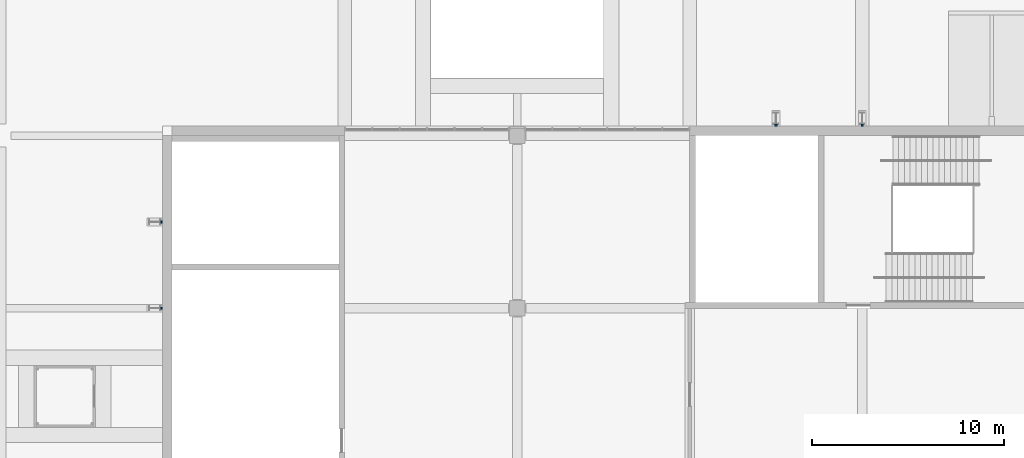
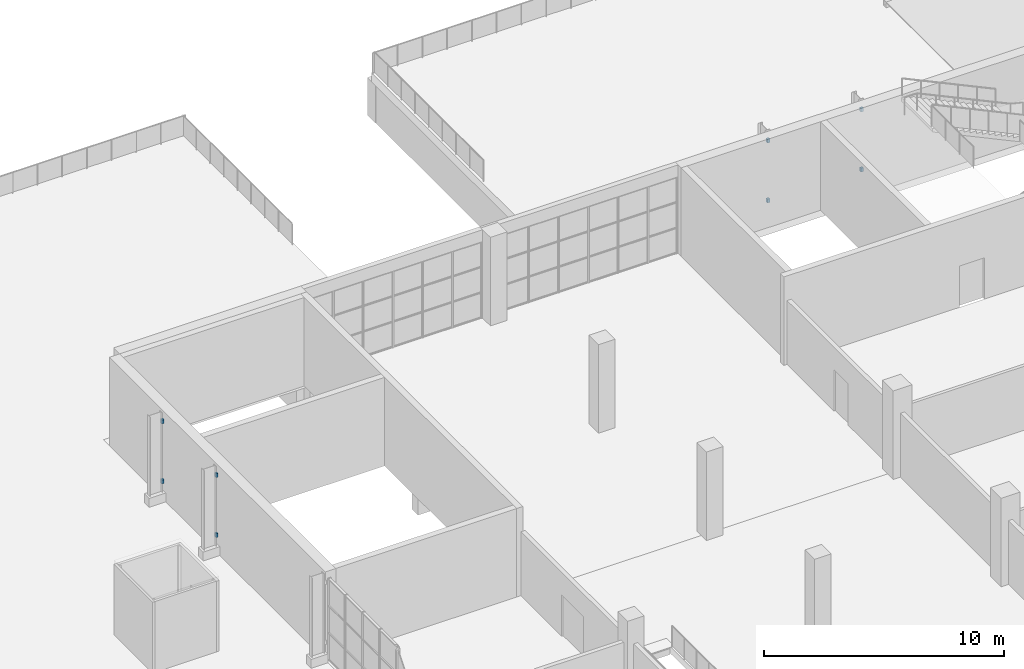
# One storey, part 131 of 168: 8 discrete accessories.
"""IFC4 building model written with IfcOpenShell, lengths in metres."""

import ifcopenshell
import ifcopenshell.guid

model = None  # the IFC model being written
_history = None  # IfcOwnerHistory: only IFC2X3 demands one
_inside = {}  # id of a spatial element -> (the spatial element, [elements in it])
_under = {}  # id of a project, library or spatial element -> (it, [spatial elements below it])
_declared = {}  # id of a project -> (the project, [libraries it declares])
_typed = {}  # id of a type object -> (the type object, [elements of that type])
_made_of = {}  # id of a material, layer set ... -> (it, [elements and type objects made of it])


def new_model(schema):
    """Start an empty IFC model of exactly this schema.

    Asked for "IFC4X3", IfcOpenShell would pick the latest addendum, in which some entities
    have other attributes; the version numbers below select the first issue.
    IFC2X3 requires an IfcOwnerHistory on every rooted entity: one is made here for all.
    """
    global model, _history
    if schema == "IFC4X3":
        model = ifcopenshell.file(schema_version=(4, 3, 0, 0))
    else:
        model = ifcopenshell.file(schema=schema)
    _inside.clear()
    _under.clear()
    _declared.clear()
    _typed.clear()
    _made_of.clear()
    _history = None
    if model.schema == "IFC2X3":
        org = make("IfcOrganization", Name="unknown")
        user = make(
            "IfcPersonAndOrganization",
            ThePerson=make("IfcPerson", FamilyName="unknown"),
            TheOrganization=org,
        )
        app = make(
            "IfcApplication",
            ApplicationDeveloper=org,
            Version="unknown",
            ApplicationFullName="unknown",
            ApplicationIdentifier="unknown",
        )
        _history = make(
            "IfcOwnerHistory",
            OwningUser=user,
            OwningApplication=app,
            ChangeAction="ADDED",
            CreationDate=0,
        )
    return model


def make(cls, **values):
    """One entity of the class cls with the attributes given. An attribute that is None is left unset."""
    return model.create_entity(
        cls, **{name: value for name, value in values.items() if value is not None}
    )


def rooted(cls, **values):
    """An entity with a GlobalId (a new one), such as an element, a storey or a relation."""
    return make(cls, GlobalId=ifcopenshell.guid.new(), OwnerHistory=_history, **values)


def si_unit(unit_type, name, prefix=None):
    """IfcSIUnit, for example si_unit("LENGTHUNIT", "METRE", prefix="MILLI")."""
    return make("IfcSIUnit", UnitType=unit_type, Prefix=prefix, Name=name)


def assignment(units):
    """IfcUnitAssignment: the units of a project."""
    return None if units is None else make("IfcUnitAssignment", Units=units)


def point(xyz):
    """IfcCartesianPoint."""
    return None if xyz is None else make("IfcCartesianPoint", Coordinates=xyz)


def direction(xyz):
    """IfcDirection."""
    return None if xyz is None else make("IfcDirection", DirectionRatios=xyz)


def frame(location, z_axis=None, x_axis=None):
    """IfcAxis2Placement3D, a coordinate frame: its origin and axes. An axis left out is left unset."""
    return make(
        "IfcAxis2Placement3D",
        Location=point(location),
        Axis=direction(z_axis),
        RefDirection=direction(x_axis),
    )


def frame_2d(location, x_axis=None):
    """IfcAxis2Placement2D, a coordinate frame in the plane: its origin and x axis."""
    return make(
        "IfcAxis2Placement2D", Location=point(location), RefDirection=direction(x_axis)
    )


def origin():
    """The frame at (0, 0, 0) with its axes left unset."""
    return frame((0.0, 0.0, 0.0))


def origin_2d():
    """The frame at (0, 0) in the plane with its x axis left unset."""
    return frame_2d((0.0, 0.0))


def place(relative_to, where):
    """IfcLocalPlacement: puts the frame where relative to a parent placement (None: the world)."""
    return make(
        "IfcLocalPlacement", PlacementRelTo=relative_to, RelativePlacement=where
    )


def context(
    kind, dimensions, precision=None, world=None, true_north=None, identifier=None
):
    """IfcGeometricRepresentationContext, for example the 3D "Model" context."""
    return make(
        "IfcGeometricRepresentationContext",
        ContextIdentifier=identifier,
        ContextType=kind,
        CoordinateSpaceDimension=dimensions,
        Precision=precision,
        WorldCoordinateSystem=world,
        TrueNorth=true_north,
    )


def subcontext(parent, identifier, kind, view, scale=None):
    """IfcGeometricRepresentationSubContext, for example "Body" below "Model"."""
    return make(
        "IfcGeometricRepresentationSubContext",
        ContextIdentifier=identifier,
        ContextType=kind,
        ParentContext=parent,
        TargetScale=scale,
        TargetView=view,
    )


def project(units=None, contexts=None):
    """IfcProject with its units and contexts."""
    return rooted(
        "IfcProject",
        Name="project",
        RepresentationContexts=contexts,
        UnitsInContext=assignment(units),
    )


def spatial(cls, under=None, at=None, **own):
    """A site, building, storey or space (cls), placed at a placement, below another one or the project."""
    s = rooted(cls, ObjectPlacement=at, **own)
    if under is not None:
        _under.setdefault(under.id(), (under, []))[1].append(s)
    return s


def profile(cls, at=None, kind="AREA", **sizes):
    """A parametric profile (cls). Its sizes go by their IFC names, for example OverallWidth=200.0."""
    return make(cls, ProfileType=kind, Position=at, **sizes)


def rectangle(**sizes):
    """IfcRectangleProfileDef."""
    return profile("IfcRectangleProfileDef", **sizes)


def extrude(swept, where, along, depth):
    """IfcExtrudedAreaSolid: the profile swept, set in the frame where, extruded along a direction by depth."""
    return make(
        "IfcExtrudedAreaSolid",
        SweptArea=swept,
        Position=where,
        ExtrudedDirection=direction(along),
        Depth=depth,
    )


def shape(context_of_items, identifier, shape_type, items):
    """IfcShapeRepresentation: the items that make up one representation, for example the "Body"."""
    return make(
        "IfcShapeRepresentation",
        ContextOfItems=context_of_items,
        RepresentationIdentifier=identifier,
        RepresentationType=shape_type,
        Items=items,
    )


def material(Name=None, Category=None):
    """IfcMaterial."""
    return make("IfcMaterial", Name=Name, Category=Category)


def made_of(thing, what):
    """Note that an element or type object is made of a material, layer set ...; save() writes the relation."""
    if what is not None:
        _made_of.setdefault(what.id(), (what, []))[1].append(thing)
    return thing


def type_object(cls, material=None, **own):
    """A type object (cls), such as IfcWallType, which elements share."""
    return made_of(rooted(cls, **own), material)


def element(
    cls,
    number,
    at=None,
    inside=None,
    cuts=None,
    type_object=None,
    material=None,
    context=None,
    identifier="Body",
    shape_type=None,
    held_by="IfcProductDefinitionShape",
    body=None,
    shapes=None,
    **own,
):
    """One element of the class cls, such as IfcWall. Its Tag is "e" and its number.

    at: its placement. inside: the storey or other place that contains it. cuts: it is an
    opening in that element (IfcRelVoidsElement). A single representation is given by context,
    identifier, shape_type and body (its items); several are given by shapes. held_by: the class
    of the entity that holds the representations. save() writes the other relations.
    """
    e = rooted(cls, Tag="e%d" % number, ObjectPlacement=at, **own)
    if body is not None:
        shapes = [shape(context, identifier, shape_type, body)]
    if shapes is not None:
        e.Representation = make(held_by, Representations=shapes)
    if inside is not None:
        _inside.setdefault(inside.id(), (inside, []))[1].append(e)
    if cuts is not None:
        rooted(
            "IfcRelVoidsElement", RelatingBuildingElement=cuts, RelatedOpeningElement=e
        )
    if type_object is not None:
        _typed.setdefault(type_object.id(), (type_object, []))[1].append(e)
    return made_of(e, material)


def aggregate(whole, parts):
    """IfcRelAggregates: a whole, such as a stair, and the parts it consists of."""
    return rooted("IfcRelAggregates", RelatingObject=whole, RelatedObjects=parts)


def save(model, path):
    """Write the relations noted so far, then the file.

    IfcRelAggregates (storeys below a building ...), IfcRelContainedInSpatialStructure (elements
    in a storey), IfcRelDefinesByType, IfcRelAssociatesMaterial and IfcRelDeclares: one each for
    every whole, place, type object, material and project.
    """
    for whole, parts in _under.values():
        aggregate(whole, parts)
    for where, things in _inside.values():
        rooted(
            "IfcRelContainedInSpatialStructure",
            RelatedElements=things,
            RelatingStructure=where,
        )
    for kind, things in _typed.values():
        rooted("IfcRelDefinesByType", RelatedObjects=things, RelatingType=kind)
    for what, things in _made_of.values():
        rooted("IfcRelAssociatesMaterial", RelatedObjects=things, RelatingMaterial=what)
    for by, libraries in _declared.values():
        rooted("IfcRelDeclares", RelatingContext=by, RelatedDefinitions=libraries)
    model.write(path)


model = new_model("IFC4")

# Units and contexts
model_context = context("Model", 3, precision=1e-05, world=origin(), true_north=direction((0.0, 1.0)))
body_context = subcontext(model_context, "Body", "Model", "MODEL_VIEW")
ifc_project = project(units=[si_unit("LENGTHUNIT", "METRE"), si_unit("AREAUNIT", "SQUARE_METRE"), si_unit("VOLUMEUNIT", "CUBIC_METRE"), si_unit("PLANEANGLEUNIT", "RADIAN"), si_unit("MASSUNIT", "GRAM", prefix="KILO")], contexts=[model_context])

# Site, building, storey
site_placement = place(None, origin())
site = spatial("IfcSite", under=ifc_project, at=site_placement, CompositionType="ELEMENT")
building_placement = place(site_placement, origin())
building = spatial("IfcBuilding", under=site, at=building_placement, Name="Silverbay Arena", CompositionType="ELEMENT")
storey_placement = place(building_placement, frame((0.0, 0.0, 7.0)))
storey = spatial("IfcBuildingStorey", under=building, at=storey_placement, Name="L01", CompositionType="ELEMENT", Elevation=7.0)

# Discrete accessories
ifc_material = material(Name="Steel S355", Category="steel")
discrete_accessory_type = type_object("IfcDiscreteAccessoryType", Name="Steel bracket plate", PredefinedType="BRACKET", material=ifc_material)
for number, where, z_axis, x_axis, name in (
    (1, (58.5, 144.550048828125, 0.85009765625), (0.0, 0.0, 1.0), (1.0, 0.0, 0.0), "Fin bracket"),
    (2, (58.5, 144.550048828125, 3.89990234375), (0.0, 0.0, 1.0), (1.0, 0.0, 0.0), "Fin bracket"),
    (3, (63.0, 144.550048828125, 0.85009765625), (0.0, 0.0, 1.0), (1.0, 0.0, 0.0), "Fin bracket"),
    (4, (63.0, 144.550048828125, 3.89990234375), (0.0, 0.0, 1.0), (1.0, 0.0, 0.0), "Fin bracket"),
):
    element("IfcDiscreteAccessory", number, at=place(storey_placement, frame(where, z_axis=z_axis, x_axis=x_axis)), inside=storey, type_object=discrete_accessory_type, Name=name, PredefinedType="BRACKET", context=body_context, shape_type="SweptSolid", body=[
        extrude(rectangle(XDim=0.1201171875, YDim=0.10009765625, at=origin_2d()), origin(), (0.0, 0.0, 1.0), 0.199951171875),
    ])
for number, where, z_axis, x_axis, name in (
    (5, (26.449951171875, 135.0, 0.85009765625), (0.0, 0.0, 1.0), (1.0, 0.0, 0.0), "Fin bracket"),
    (6, (26.449951171875, 135.0, 3.89990234375), (0.0, 0.0, 1.0), (1.0, 0.0, 0.0), "Fin bracket"),
    (7, (26.449951171875, 139.5, 0.85009765625), (0.0, 0.0, 1.0), (1.0, 0.0, 0.0), "Fin bracket"),
    (8, (26.449951171875, 139.5, 3.89990234375), (0.0, 0.0, 1.0), (1.0, 0.0, 0.0), "Fin bracket"),
):
    element("IfcDiscreteAccessory", number, at=place(storey_placement, frame(where, z_axis=z_axis, x_axis=x_axis)), inside=storey, type_object=discrete_accessory_type, Name=name, PredefinedType="BRACKET", context=body_context, shape_type="SweptSolid", body=[
        extrude(rectangle(XDim=0.10009765625, YDim=0.1201171875, at=origin_2d()), origin(), (0.0, 0.0, 1.0), 0.199951171875),
    ])

save(model, "model.ifc")
